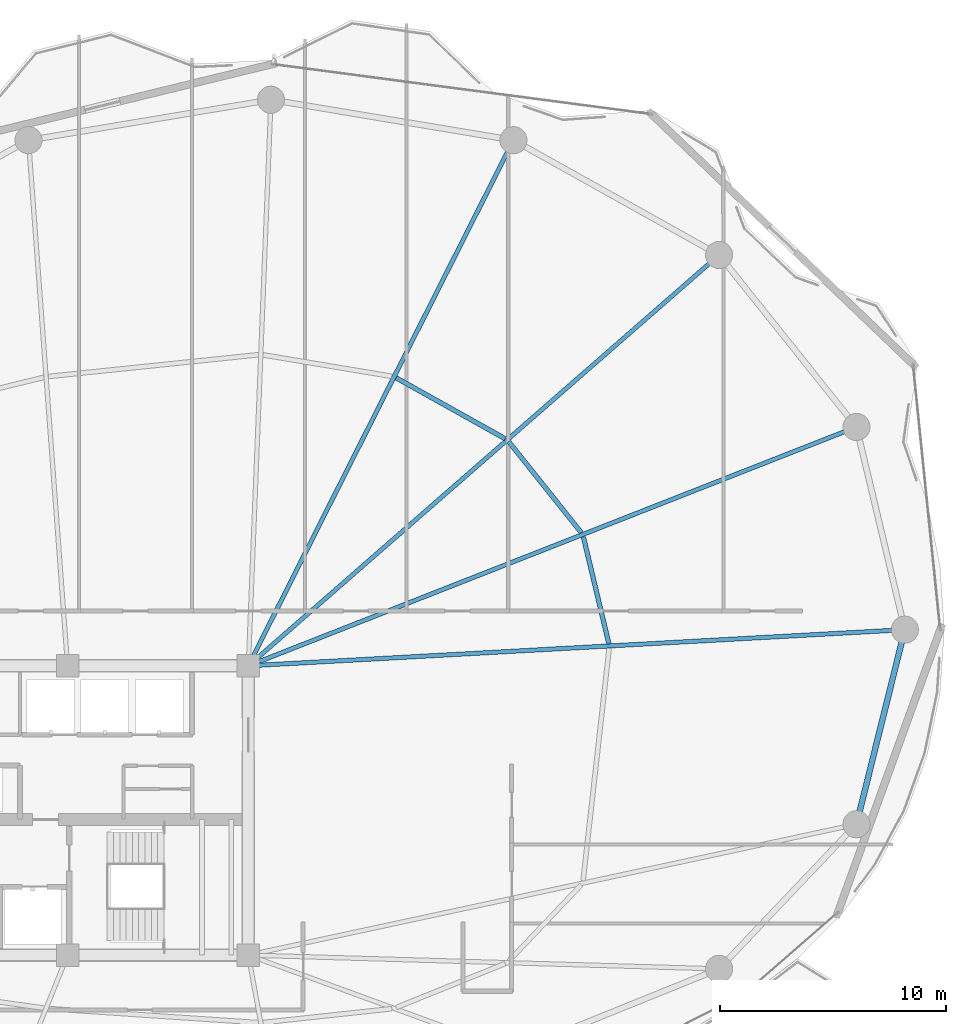
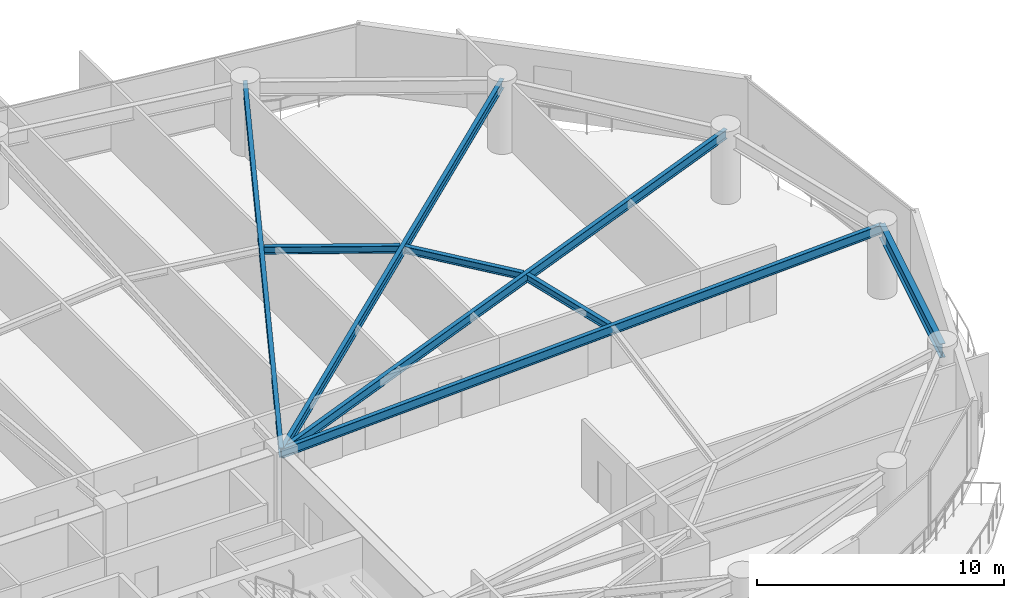
# One storey, part 14 of 30: 8 beams.
"""IFC4 building model written with IfcOpenShell, lengths in metres."""

from ifc_helpers import new_model, si_unit, direction, frame, origin, origin_2d, place, context, subcontext, project, spatial, i_section, extrude, material, material_profile, profile_set, type_object, element, save


model = new_model("IFC4")

# Units and contexts
model_context = context("Model", 3, precision=1e-05, world=origin(), true_north=direction((0.0, 1.0)))
body_context = subcontext(model_context, "Body", "Model", "MODEL_VIEW")
ifc_project = project(units=[si_unit("LENGTHUNIT", "METRE"), si_unit("AREAUNIT", "SQUARE_METRE"), si_unit("VOLUMEUNIT", "CUBIC_METRE"), si_unit("PLANEANGLEUNIT", "RADIAN"), si_unit("MASSUNIT", "GRAM", prefix="KILO")], contexts=[model_context])

# Site, building, storey
site_placement = place(None, origin())
site = spatial("IfcSite", under=ifc_project, at=site_placement, CompositionType="ELEMENT")
building_placement = place(site_placement, origin())
building = spatial("IfcBuilding", under=site, at=building_placement, Name="Kazevale Care Tower and Concert Hall", CompositionType="ELEMENT")
storey_placement = place(building_placement, frame((0.0, 0.0, 113.39990234375)))
storey = spatial("IfcBuildingStorey", under=building, at=storey_placement, Name="L29", CompositionType="ELEMENT", Elevation=113.39990234375)

# Beams
ifc_material = material(Name="Steel ASTM A572 Gr 50", Category="steel")
ifc_material_profile_1 = material_profile(ifc_material, i_section(OverallWidth=0.19091796875, OverallDepth=0.4599609375, WebThickness=0.010009765625, FlangeThickness=0.01611328125, at=origin_2d()), Name="W460x82")
ifc_profile_set_1 = profile_set([ifc_material_profile_1], Name="Steel ASTM A572 Gr 50")
beam_type_1 = type_object("IfcBeamType", Name="Radial Floor Beam W460x82", PredefinedType="BEAM", material=ifc_profile_set_1)
beam_1_placement = place(storey_placement, frame((44.0, 36.39990234375, 3.130126953125), z_axis=(0.998486500016, 0.054997357076, 0.0), x_axis=(-0.054997357076, 0.998486500016, 0.0)))
element("IfcBeam", 1, at=beam_1_placement, inside=storey, type_object=beam_type_1, Name="beam:L29:rad:01", PredefinedType="BEAM", context=body_context, shape_type="SweptSolid", body=[
    extrude(i_section(OverallWidth=0.19091796875, OverallDepth=0.4599609375, WebThickness=0.010009765625, FlangeThickness=0.01611328125, at=origin_2d()), origin(), (0.0, 0.0, 1.0), 29.093994140625),
])
beam_2_placement = place(storey_placement, frame((44.0, 36.39990234375, 3.130126953125), z_axis=(0.930771301513, 0.36560194786, 0.0), x_axis=(-0.36560194786, 0.930771301513, 0.0)))
element("IfcBeam", 2, at=beam_2_placement, inside=storey, type_object=beam_type_1, Name="beam:L29:rad:02", PredefinedType="BEAM", context=body_context, shape_type="SweptSolid", body=[
    extrude(i_section(OverallWidth=0.19091796875, OverallDepth=0.4599609375, WebThickness=0.010009765625, FlangeThickness=0.01611328125, at=origin_2d()), origin(), (0.0, 0.0, 1.0), 28.911376953125),
])
beam_3_placement = place(storey_placement, frame((44.0, 36.39990234375, 3.130126953125), z_axis=(0.753403181998, 0.657558853149, 0.0), x_axis=(-0.657558853149, 0.753403181998, 0.0)))
element("IfcBeam", 3, at=beam_3_placement, inside=storey, type_object=beam_type_1, Name="beam:L29:rad:03", PredefinedType="BEAM", context=body_context, shape_type="SweptSolid", body=[
    extrude(i_section(OverallWidth=0.19091796875, OverallDepth=0.4599609375, WebThickness=0.010009765625, FlangeThickness=0.01611328125, at=origin_2d()), origin(), (0.0, 0.0, 1.0), 27.64794921875),
])
beam_4_placement = place(storey_placement, frame((44.0, 36.39990234375, 3.130126953125), z_axis=(0.450281187568, 0.892886808124, 0.0), x_axis=(-0.892886808124, 0.450281187568, 0.0)))
element("IfcBeam", 4, at=beam_4_placement, inside=storey, type_object=beam_type_1, Name="beam:L29:rad:04", PredefinedType="BEAM", context=body_context, shape_type="SweptSolid", body=[
    extrude(i_section(OverallWidth=0.19091796875, OverallDepth=0.4599609375, WebThickness=0.010009765625, FlangeThickness=0.01611328125, at=origin_2d()), origin(), (0.0, 0.0, 1.0), 26.05029296875),
])
ifc_material_profile_2 = material_profile(ifc_material, i_section(OverallWidth=0.205078125, OverallDepth=0.35400390625, WebThickness=0.009521484375, FlangeThickness=0.016845703125, at=origin_2d()), Name="W360x79")
ifc_profile_set_2 = profile_set([ifc_material_profile_2], Name="Steel ASTM A572 Gr 50")
beam_type_2 = type_object("IfcBeamType", Name="Secondary Floor Joist W360x79", PredefinedType="JOIST", material=ifc_profile_set_2)
beam_5_placement = place(storey_placement, frame((59.952880859375, 37.382080078125, 3.18310546875), z_axis=(-0.232005223279, 0.972714540023, 0.0), x_axis=(-0.972714540023, -0.232005223279, 0.0)))
element("IfcBeam", 5, at=beam_5_placement, inside=storey, type_object=beam_type_2, Name="beam:L29:joist:01", PredefinedType="JOIST", context=body_context, shape_type="SweptSolid", body=[
    extrude(i_section(OverallWidth=0.205078125, OverallDepth=0.35400390625, WebThickness=0.009521484375, FlangeThickness=0.016845703125, at=origin_2d()), origin(), (0.0, 0.0, 1.0), 4.861572265625),
])
beam_6_placement = place(storey_placement, frame((58.735107421875, 42.2958984375, 3.18310546875), z_axis=(-0.624261115922, 0.781215757104, 0.0), x_axis=(-0.781215757104, -0.624261115922, 0.0)))
element("IfcBeam", 6, at=beam_6_placement, inside=storey, type_object=beam_type_2, Name="beam:L29:joist:02", PredefinedType="JOIST", context=body_context, shape_type="SweptSolid", body=[
    extrude(i_section(OverallWidth=0.205078125, OverallDepth=0.35400390625, WebThickness=0.009521484375, FlangeThickness=0.016845703125, at=origin_2d()), origin(), (0.0, 0.0, 1.0), 5.147216796875),
])
beam_7_placement = place(storey_placement, frame((55.364990234375, 46.449951171875, 3.18310546875), z_axis=(-0.873137755824, 0.487473547338, 0.0), x_axis=(-0.487473547338, -0.873137755824, 0.0)))
element("IfcBeam", 7, at=beam_7_placement, inside=storey, type_object=beam_type_2, Name="beam:L29:joist:03", PredefinedType="JOIST", context=body_context, shape_type="SweptSolid", body=[
    extrude(i_section(OverallWidth=0.205078125, OverallDepth=0.35400390625, WebThickness=0.009521484375, FlangeThickness=0.016845703125, at=origin_2d()), origin(), (0.0, 0.0, 1.0), 5.522705078125),
])
ifc_material_profile_3 = material_profile(ifc_material, i_section(OverallWidth=0.256103515625, OverallDepth=0.693115234375, WebThickness=0.014404296875, FlangeThickness=0.023681640625, at=origin_2d()), Name="W690x170")
ifc_profile_set_3 = profile_set([ifc_material_profile_3], Name="Steel ASTM A572 Gr 50")
beam_type_3 = type_object("IfcBeamType", Name="Waist Ring Beam W690x170", PredefinedType="BEAM", material=ifc_profile_set_3)
beam_8_placement = place(storey_placement, frame((70.909912109375, 29.389892578125, 3.013671875), z_axis=(0.241221022882, 0.970470204653, 0.0), x_axis=(-0.970470204653, 0.241221022882, 0.0)))
element("IfcBeam", 8, at=beam_8_placement, inside=storey, type_object=beam_type_3, Name="beam:L29:ring:16", PredefinedType="BEAM", context=body_context, shape_type="SweptSolid", body=[
    extrude(i_section(OverallWidth=0.256103515625, OverallDepth=0.693115234375, WebThickness=0.014404296875, FlangeThickness=0.023681640625, at=origin_2d()), origin(), (0.0, 0.0, 1.0), 8.8720703125),
])

save(model, "model.ifc")
